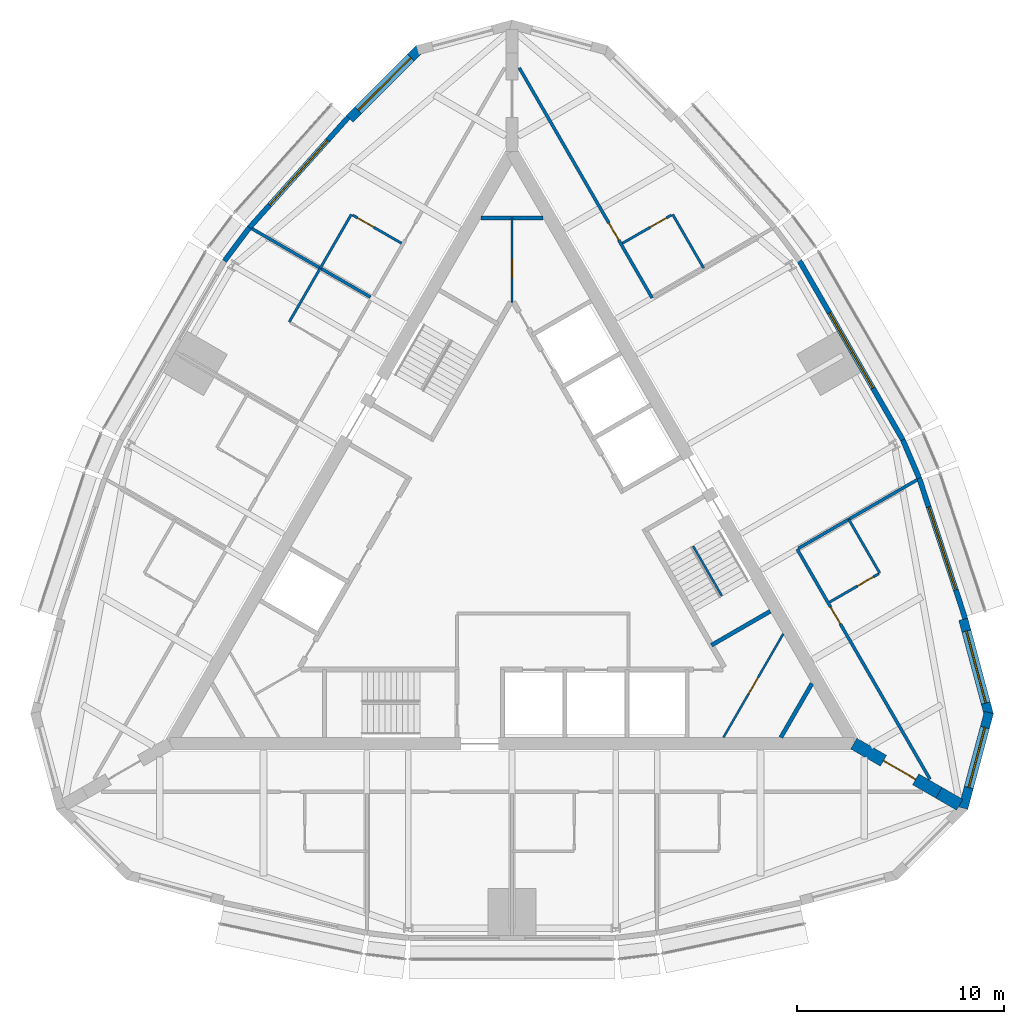
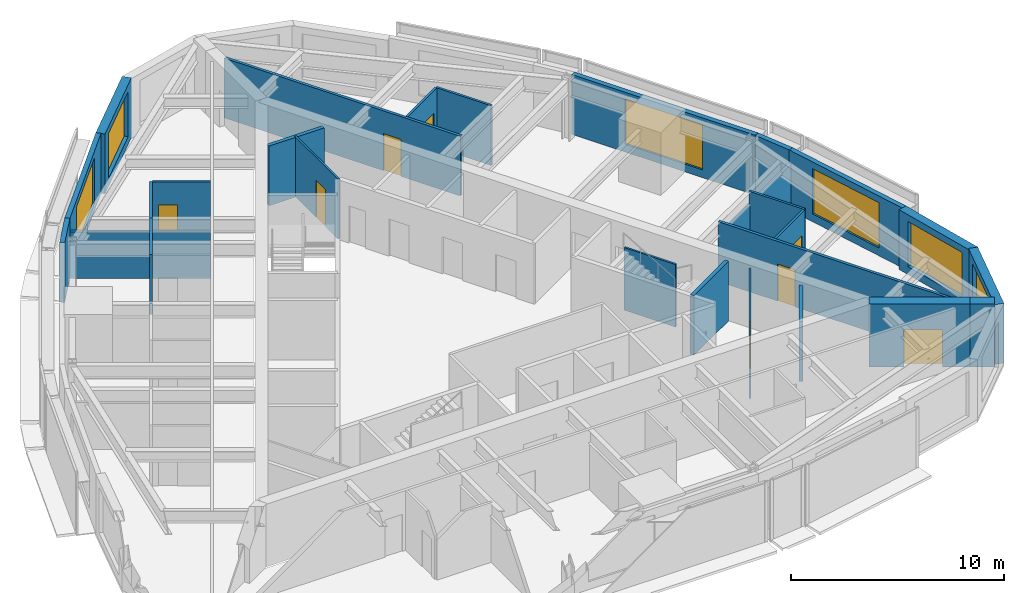
# One storey, part 10 of 12: 27 walls, 8 doors, 6 windows, 14 openings.
"""IFC4 building model written with IfcOpenShell, lengths in metres."""

import ifcopenshell
import ifcopenshell.guid

model = None  # the IFC model being written
_history = None  # IfcOwnerHistory: only IFC2X3 demands one
_inside = {}  # id of a spatial element -> (the spatial element, [elements in it])
_under = {}  # id of a project, library or spatial element -> (it, [spatial elements below it])
_declared = {}  # id of a project -> (the project, [libraries it declares])
_typed = {}  # id of a type object -> (the type object, [elements of that type])
_made_of = {}  # id of a material, layer set ... -> (it, [elements and type objects made of it])


def new_model(schema):
    """Start an empty IFC model of exactly this schema.

    Asked for "IFC4X3", IfcOpenShell would pick the latest addendum, in which some entities
    have other attributes; the version numbers below select the first issue.
    IFC2X3 requires an IfcOwnerHistory on every rooted entity: one is made here for all.
    """
    global model, _history
    if schema == "IFC4X3":
        model = ifcopenshell.file(schema_version=(4, 3, 0, 0))
    else:
        model = ifcopenshell.file(schema=schema)
    _inside.clear()
    _under.clear()
    _declared.clear()
    _typed.clear()
    _made_of.clear()
    _history = None
    if model.schema == "IFC2X3":
        org = make("IfcOrganization", Name="unknown")
        user = make(
            "IfcPersonAndOrganization",
            ThePerson=make("IfcPerson", FamilyName="unknown"),
            TheOrganization=org,
        )
        app = make(
            "IfcApplication",
            ApplicationDeveloper=org,
            Version="unknown",
            ApplicationFullName="unknown",
            ApplicationIdentifier="unknown",
        )
        _history = make(
            "IfcOwnerHistory",
            OwningUser=user,
            OwningApplication=app,
            ChangeAction="ADDED",
            CreationDate=0,
        )
    return model


def make(cls, **values):
    """One entity of the class cls with the attributes given. An attribute that is None is left unset."""
    return model.create_entity(
        cls, **{name: value for name, value in values.items() if value is not None}
    )


def rooted(cls, **values):
    """An entity with a GlobalId (a new one), such as an element, a storey or a relation."""
    return make(cls, GlobalId=ifcopenshell.guid.new(), OwnerHistory=_history, **values)


def si_unit(unit_type, name, prefix=None):
    """IfcSIUnit, for example si_unit("LENGTHUNIT", "METRE", prefix="MILLI")."""
    return make("IfcSIUnit", UnitType=unit_type, Prefix=prefix, Name=name)


def assignment(units):
    """IfcUnitAssignment: the units of a project."""
    return None if units is None else make("IfcUnitAssignment", Units=units)


def point(xyz):
    """IfcCartesianPoint."""
    return None if xyz is None else make("IfcCartesianPoint", Coordinates=xyz)


def direction(xyz):
    """IfcDirection."""
    return None if xyz is None else make("IfcDirection", DirectionRatios=xyz)


def frame(location, z_axis=None, x_axis=None):
    """IfcAxis2Placement3D, a coordinate frame: its origin and axes. An axis left out is left unset."""
    return make(
        "IfcAxis2Placement3D",
        Location=point(location),
        Axis=direction(z_axis),
        RefDirection=direction(x_axis),
    )


def frame_2d(location, x_axis=None):
    """IfcAxis2Placement2D, a coordinate frame in the plane: its origin and x axis."""
    return make(
        "IfcAxis2Placement2D", Location=point(location), RefDirection=direction(x_axis)
    )


def origin():
    """The frame at (0, 0, 0) with its axes left unset."""
    return frame((0.0, 0.0, 0.0))


def place(relative_to, where):
    """IfcLocalPlacement: puts the frame where relative to a parent placement (None: the world)."""
    return make(
        "IfcLocalPlacement", PlacementRelTo=relative_to, RelativePlacement=where
    )


def context(
    kind, dimensions, precision=None, world=None, true_north=None, identifier=None
):
    """IfcGeometricRepresentationContext, for example the 3D "Model" context."""
    return make(
        "IfcGeometricRepresentationContext",
        ContextIdentifier=identifier,
        ContextType=kind,
        CoordinateSpaceDimension=dimensions,
        Precision=precision,
        WorldCoordinateSystem=world,
        TrueNorth=true_north,
    )


def subcontext(parent, identifier, kind, view, scale=None):
    """IfcGeometricRepresentationSubContext, for example "Body" below "Model"."""
    return make(
        "IfcGeometricRepresentationSubContext",
        ContextIdentifier=identifier,
        ContextType=kind,
        ParentContext=parent,
        TargetScale=scale,
        TargetView=view,
    )


def project(units=None, contexts=None):
    """IfcProject with its units and contexts."""
    return rooted(
        "IfcProject",
        Name="project",
        RepresentationContexts=contexts,
        UnitsInContext=assignment(units),
    )


def spatial(cls, under=None, at=None, **own):
    """A site, building, storey or space (cls), placed at a placement, below another one or the project."""
    s = rooted(cls, ObjectPlacement=at, **own)
    if under is not None:
        _under.setdefault(under.id(), (under, []))[1].append(s)
    return s


def polyline(points):
    """IfcPolyline through the points."""
    return make("IfcPolyline", Points=[point(p) for p in points])


def profile(cls, at=None, kind="AREA", **sizes):
    """A parametric profile (cls). Its sizes go by their IFC names, for example OverallWidth=200.0."""
    return make(cls, ProfileType=kind, Position=at, **sizes)


def rectangle(**sizes):
    """IfcRectangleProfileDef."""
    return profile("IfcRectangleProfileDef", **sizes)


def outline(outer, holes=None, kind="AREA"):
    """IfcArbitraryClosedProfileDef: a profile drawn as a closed curve; with holes, ...WithVoids."""
    if holes is None:
        return make("IfcArbitraryClosedProfileDef", ProfileType=kind, OuterCurve=outer)
    return make(
        "IfcArbitraryProfileDefWithVoids",
        ProfileType=kind,
        OuterCurve=outer,
        InnerCurves=holes,
    )


def extrude(swept, where, along, depth):
    """IfcExtrudedAreaSolid: the profile swept, set in the frame where, extruded along a direction by depth."""
    return make(
        "IfcExtrudedAreaSolid",
        SweptArea=swept,
        Position=where,
        ExtrudedDirection=direction(along),
        Depth=depth,
    )


def shape(context_of_items, identifier, shape_type, items):
    """IfcShapeRepresentation: the items that make up one representation, for example the "Body"."""
    return make(
        "IfcShapeRepresentation",
        ContextOfItems=context_of_items,
        RepresentationIdentifier=identifier,
        RepresentationType=shape_type,
        Items=items,
    )


def material(Name=None, Category=None):
    """IfcMaterial."""
    return make("IfcMaterial", Name=Name, Category=Category)


def layer(
    of_material, thickness, ventilated=None, Name=None, Category=None, Priority=None
):
    """IfcMaterialLayer: one layer of a wall or slab, of a material (None: an air gap)."""
    return make(
        "IfcMaterialLayer",
        Material=of_material,
        LayerThickness=thickness,
        IsVentilated=ventilated,
        Name=Name,
        Category=Category,
        Priority=Priority,
    )


def layer_set(layers, Name=None):
    """IfcMaterialLayerSet."""
    return make("IfcMaterialLayerSet", MaterialLayers=layers, LayerSetName=Name)


def made_of(thing, what):
    """Note that an element or type object is made of a material, layer set ...; save() writes the relation."""
    if what is not None:
        _made_of.setdefault(what.id(), (what, []))[1].append(thing)
    return thing


def type_object(cls, material=None, **own):
    """A type object (cls), such as IfcWallType, which elements share."""
    return made_of(rooted(cls, **own), material)


def element(
    cls,
    number,
    at=None,
    inside=None,
    cuts=None,
    type_object=None,
    material=None,
    context=None,
    identifier="Body",
    shape_type=None,
    held_by="IfcProductDefinitionShape",
    body=None,
    shapes=None,
    **own,
):
    """One element of the class cls, such as IfcWall. Its Tag is "e" and its number.

    at: its placement. inside: the storey or other place that contains it. cuts: it is an
    opening in that element (IfcRelVoidsElement). A single representation is given by context,
    identifier, shape_type and body (its items); several are given by shapes. held_by: the class
    of the entity that holds the representations. save() writes the other relations.
    """
    e = rooted(cls, Tag="e%d" % number, ObjectPlacement=at, **own)
    if body is not None:
        shapes = [shape(context, identifier, shape_type, body)]
    if shapes is not None:
        e.Representation = make(held_by, Representations=shapes)
    if inside is not None:
        _inside.setdefault(inside.id(), (inside, []))[1].append(e)
    if cuts is not None:
        rooted(
            "IfcRelVoidsElement", RelatingBuildingElement=cuts, RelatedOpeningElement=e
        )
    if type_object is not None:
        _typed.setdefault(type_object.id(), (type_object, []))[1].append(e)
    return made_of(e, material)


def fill(opening, filler):
    """IfcRelFillsElement: the door or window that sits in an opening."""
    return rooted(
        "IfcRelFillsElement",
        RelatingOpeningElement=opening,
        RelatedBuildingElement=filler,
    )


def aggregate(whole, parts):
    """IfcRelAggregates: a whole, such as a stair, and the parts it consists of."""
    return rooted("IfcRelAggregates", RelatingObject=whole, RelatedObjects=parts)


def save(model, path):
    """Write the relations noted so far, then the file.

    IfcRelAggregates (storeys below a building ...), IfcRelContainedInSpatialStructure (elements
    in a storey), IfcRelDefinesByType, IfcRelAssociatesMaterial and IfcRelDeclares: one each for
    every whole, place, type object, material and project.
    """
    for whole, parts in _under.values():
        aggregate(whole, parts)
    for where, things in _inside.values():
        rooted(
            "IfcRelContainedInSpatialStructure",
            RelatedElements=things,
            RelatingStructure=where,
        )
    for kind, things in _typed.values():
        rooted("IfcRelDefinesByType", RelatedObjects=things, RelatingType=kind)
    for what, things in _made_of.values():
        rooted("IfcRelAssociatesMaterial", RelatedObjects=things, RelatingMaterial=what)
    for by, libraries in _declared.values():
        rooted("IfcRelDeclares", RelatingContext=by, RelatedDefinitions=libraries)
    model.write(path)


model = new_model("IFC4")

# Units and contexts
model_context = context("Model", 3, precision=1e-05, world=origin(), true_north=direction((0.0, 1.0)))
body_context = subcontext(model_context, "Body", "Model", "MODEL_VIEW")
ifc_project = project(units=[si_unit("LENGTHUNIT", "METRE"), si_unit("AREAUNIT", "SQUARE_METRE"), si_unit("VOLUMEUNIT", "CUBIC_METRE"), si_unit("PLANEANGLEUNIT", "RADIAN"), si_unit("MASSUNIT", "GRAM", prefix="KILO")], contexts=[model_context])

# Site, building, storey
site_placement = place(None, origin())
site = spatial("IfcSite", under=ifc_project, at=site_placement, CompositionType="ELEMENT")
building_placement = place(site_placement, origin())
building = spatial("IfcBuilding", under=site, at=building_placement, Name="Trikona Tower", CompositionType="ELEMENT")
storey_placement = place(building_placement, frame((0.0, 0.0, 246.5)))
storey = spatial("IfcBuildingStorey", under=building, at=storey_placement, Name="L65", CompositionType="ELEMENT", Elevation=246.5)

# Wall
ifc_material_1 = material(Name="Metal stud and cement board", Category="gypsum")
ifc_layer_1 = layer(ifc_material_1, 0.1201171875)
ifc_layer_set_1 = layer_set([ifc_layer_1], Name="Bathroom wall 120")
wall_type_1 = type_object("IfcWallType", Name="Bathroom wall 120", PredefinedType="PLUMBINGWALL", material=ifc_layer_set_1)
wall_1_placement = place(storey_placement, frame((17.75341796875, -1.297119140625, 0.0), z_axis=(0.0, 0.0, 1.0), x_axis=(-0.499990139034, 0.866031096941, 0.0)))
element("IfcWall", 1, at=wall_1_placement, inside=storey, type_object=wall_type_1, Name="Bathroom wall 6504", PredefinedType="PLUMBINGWALL", context=body_context, shape_type="SweptSolid", body=[
    extrude(rectangle(XDim=3.0, YDim=0.1201171875, at=frame_2d((1.5, 0.0))), origin(), (0.0, 0.0, 1.0), 3.43505859375),
])

# Wall, opening, door
wall_2_placement = place(storey_placement, frame((15.32861328125, -2.697021484375, 0.0), z_axis=(0.0, 0.0, 1.0), x_axis=(0.866035715982, 0.499982138324, 0.0)))
wall_2 = element("IfcWall", 2, at=wall_2_placement, inside=storey, type_object=wall_type_1, Name="Bathroom wall 6504", PredefinedType="PLUMBINGWALL", context=body_context, shape_type="SweptSolid", body=[
    extrude(rectangle(XDim=2.73974609375, YDim=0.1201171875, at=frame_2d((1.369873046875, 0.0))), origin(), (0.0, 0.0, 1.0), 3.43505859375),
])
opening_1_placement = place(wall_2_placement, frame((1.550048828125, 0.0, 0.0)))
opening_1 = element("IfcOpeningElement", 3, at=opening_1_placement, cuts=wall_2, Name="Opening D2", PredefinedType="OPENING", context=body_context, shape_type="SweptSolid", body=[
    extrude(rectangle(XDim=0.89990234375, YDim=2.1298828125, at=frame_2d((0.449951171875, 1.06494140625))), frame((0.0, 0.070068359375, 0.0), z_axis=(0.0, -1.0, 0.0), x_axis=(1.0, 0.0, 0.0)), (0.0, 0.0, 1.0), 0.14013671875),
])
ifc_material_2 = material(Name="Steel door frame with solid-core timber leaf", Category="steel")
door_type_1 = type_object("IfcDoorType", Name="Bathroom door 900x2130", OperationType="SLIDING_TO_LEFT", PredefinedType="DOOR", material=ifc_material_2)
door_1_placement = place(opening_1_placement, origin())
door_1 = element("IfcDoor", 4, at=door_1_placement, inside=storey, type_object=door_type_1, Name="Bathroom door 6504", OperationType="SLIDING_TO_LEFT", OverallHeight=2.1298828125, OverallWidth=0.89990234375, PredefinedType="DOOR", context=body_context, shape_type="SweptSolid", body=[
    extrude(rectangle(XDim=0.89990234375, YDim=2.1298828125, at=frame_2d((0.449951171875, 1.06494140625))), frame((0.0, 0.02490234375, 0.0), z_axis=(0.0, -1.0, 0.0), x_axis=(1.0, 0.0, 0.0)), (0.0, 0.0, 1.0), 0.050048828125),
])
fill(opening_1, door_1)

# Wall
wall_3_placement = place(storey_placement, frame((9.25341796875, 13.42529296875, 0.0), z_axis=(0.0, 0.0, 1.0), x_axis=(-0.499990139034, 0.866031096941, 0.0)))
element("IfcWall", 5, at=wall_3_placement, inside=storey, type_object=wall_type_1, Name="Bathroom wall 6505", PredefinedType="PLUMBINGWALL", context=body_context, shape_type="SweptSolid", body=[
    extrude(rectangle(XDim=3.0, YDim=0.1201171875, at=frame_2d((1.5, 0.0))), origin(), (0.0, 0.0, 1.0), 3.43505859375),
])

# Wall, opening, door
wall_4_placement = place(storey_placement, frame((5.32861328125, 14.623291015625, 0.0), z_axis=(0.0, 0.0, 1.0), x_axis=(0.865997131366, 0.500048966069, 0.0)))
wall_4 = element("IfcWall", 6, at=wall_4_placement, inside=storey, type_object=wall_type_1, Name="Bathroom wall 6505", PredefinedType="PLUMBINGWALL", context=body_context, shape_type="SweptSolid", body=[
    extrude(rectangle(XDim=2.739990234375, YDim=0.1201171875, at=frame_2d((1.3701171875, 0.0))), origin(), (0.0, 0.0, 1.0), 3.43505859375),
])
opening_2_placement = place(wall_4_placement, frame((1.550048828125, 0.0, 0.0)))
opening_2 = element("IfcOpeningElement", 7, at=opening_2_placement, cuts=wall_4, Name="Opening D2", PredefinedType="OPENING", context=body_context, shape_type="SweptSolid", body=[
    extrude(rectangle(XDim=0.89990234375, YDim=2.1298828125, at=frame_2d((0.449951171875, 1.06494140625))), frame((0.0, 0.070068359375, 0.0), z_axis=(0.0, -1.0, 0.0), x_axis=(1.0, 0.0, 0.0)), (0.0, 0.0, 1.0), 0.14013671875),
])
door_2_placement = place(opening_2_placement, origin())
door_2 = element("IfcDoor", 8, at=door_2_placement, inside=storey, type_object=door_type_1, Name="Bathroom door 6505", OperationType="SLIDING_TO_LEFT", OverallHeight=2.1298828125, OverallWidth=0.89990234375, PredefinedType="DOOR", context=body_context, shape_type="SweptSolid", body=[
    extrude(rectangle(XDim=0.89990234375, YDim=2.1298828125, at=frame_2d((0.449951171875, 1.06494140625))), frame((0.0, 0.02490234375, 0.0), z_axis=(0.0, -1.0, 0.0), x_axis=(1.0, 0.0, 0.0)), (0.0, 0.0, 1.0), 0.050048828125),
])
fill(opening_2, door_2)

# Wall
wall_5_placement = place(storey_placement, frame((-7.75341796875, 16.0234375, 0.0), z_axis=(0.0, 0.0, 1.0), x_axis=(-0.499990139034, -0.866031096941, 0.0)))
element("IfcWall", 9, at=wall_5_placement, inside=storey, type_object=wall_type_1, Name="Bathroom wall 6506", PredefinedType="PLUMBINGWALL", context=body_context, shape_type="SweptSolid", body=[
    extrude(rectangle(XDim=3.0, YDim=0.1201171875, at=frame_2d((1.5, 0.0))), origin(), (0.0, 0.0, 1.0), 3.43505859375),
])

# Wall, opening, door
wall_6_placement = place(storey_placement, frame((-5.32861328125, 14.623291015625, 0.0), z_axis=(0.0, 0.0, 1.0), x_axis=(-0.865997131366, 0.500048966069, 0.0)))
wall_6 = element("IfcWall", 10, at=wall_6_placement, inside=storey, type_object=wall_type_1, Name="Bathroom wall 6506", PredefinedType="PLUMBINGWALL", context=body_context, shape_type="SweptSolid", body=[
    extrude(rectangle(XDim=2.739990234375, YDim=0.1201171875, at=frame_2d((1.3701171875, 0.0))), origin(), (0.0, 0.0, 1.0), 3.43505859375),
])
opening_3_placement = place(wall_6_placement, frame((1.550048828125, 0.0, 0.0)))
opening_3 = element("IfcOpeningElement", 11, at=opening_3_placement, cuts=wall_6, Name="Opening D2", PredefinedType="OPENING", context=body_context, shape_type="SweptSolid", body=[
    extrude(rectangle(XDim=0.89990234375, YDim=2.1298828125, at=frame_2d((0.449951171875, 1.06494140625))), frame((0.0, 0.070068359375, 0.0), z_axis=(0.0, -1.0, 0.0), x_axis=(1.0, 0.0, 0.0)), (0.0, 0.0, 1.0), 0.14013671875),
])
door_3_placement = place(opening_3_placement, origin())
door_3 = element("IfcDoor", 12, at=door_3_placement, inside=storey, type_object=door_type_1, Name="Bathroom door 6506", OperationType="SLIDING_TO_LEFT", OverallHeight=2.1298828125, OverallWidth=0.89990234375, PredefinedType="DOOR", context=body_context, shape_type="SweptSolid", body=[
    extrude(rectangle(XDim=0.89990234375, YDim=2.1298828125, at=frame_2d((0.449951171875, 1.06494140625))), frame((0.0, 0.02490234375, 0.0), z_axis=(0.0, -1.0, 0.0), x_axis=(1.0, 0.0, 0.0)), (0.0, 0.0, 1.0), 0.050048828125),
])
fill(opening_3, door_3)

# Wall
wall_7_placement = place(storey_placement, frame((-9.25341796875, 13.42529296875, 0.0), z_axis=(0.0, 0.0, 1.0), x_axis=(-0.499990139034, -0.866031096941, 0.0)))
element("IfcWall", 13, at=wall_7_placement, inside=storey, type_object=wall_type_1, Name="Bathroom wall 6507", PredefinedType="PLUMBINGWALL", context=body_context, shape_type="SweptSolid", body=[
    extrude(rectangle(XDim=3.0, YDim=0.1201171875, at=frame_2d((1.5, 0.0))), origin(), (0.0, 0.0, 1.0), 3.43505859375),
])

# Wall, opening, window
ifc_material_3 = material(Name="Brick-faced precast concrete", Category="masonry")
ifc_layer_2 = layer(ifc_material_3, 0.449951171875)
ifc_layer_set_2 = layer_set([ifc_layer_2], Name="Brick-faced corner wall 450")
wall_type_2 = type_object("IfcWallType", Name="Brick-faced corner wall 450", PredefinedType="SOLIDWALL", material=ifc_layer_set_2)
wall_8_placement = place(storey_placement, frame((21.78271484375, -12.6435546875, 0.0), z_axis=(0.0, 0.0, 1.0), x_axis=(0.25880328844, 0.965930048136, 0.0)))
wall_8 = element("IfcWall", 14, at=wall_8_placement, inside=storey, type_object=wall_type_2, Name="External wall L65-07", PredefinedType="SOLIDWALL", context=body_context, shape_type="SweptSolid", body=[
    extrude(outline(polyline([(4.78173828125, 0.22509765625), (0.43115234375, 0.22509765625), (0.40625, 0.132080078125), (0.0595703125, 0.22509765625), (0.0, 0.22509765625), (0.0, -0.22509765625), (4.78173828125, -0.22509765625), (4.78173828125, 0.22509765625)])), origin(), (0.0, 0.0, 1.0), 3.43505859375),
])
opening_4_placement = place(wall_8_placement, frame((1.031494140625, 0.0, 0.449951171875)))
opening_4 = element("IfcOpeningElement", 15, at=opening_4_placement, cuts=wall_8, Name="Opening W3026", PredefinedType="OPENING", context=body_context, shape_type="SweptSolid", body=[
    extrude(rectangle(XDim=3.0, YDim=2.60009765625, at=frame_2d((1.5, 1.300048828125))), frame((0.0, 0.23486328125, 0.0), z_axis=(0.0, -1.0, 0.0), x_axis=(1.0, 0.0, 0.0)), (0.0, 0.0, 1.0), 0.469970703125),
])
ifc_material_4 = material(Name="Aluminium-framed double glazing", Category="aluminium")
window_type_1 = type_object("IfcWindowType", Name="Window 3000x2600", PartitioningType="SINGLE_PANEL", PredefinedType="WINDOW", material=ifc_material_4)
window_1_placement = place(opening_4_placement, origin())
window_1 = element("IfcWindow", 16, at=window_1_placement, inside=storey, type_object=window_type_1, Name="Window 6504", OverallHeight=2.60009765625, OverallWidth=3.0, PartitioningType="SINGLE_PANEL", PredefinedType="WINDOW", context=body_context, shape_type="SweptSolid", body=[
    extrude(rectangle(XDim=3.0, YDim=2.60009765625, at=frame_2d((1.5, 1.300048828125))), frame((0.0, 0.030029296875, 0.0), z_axis=(0.0, -1.0, 0.0), x_axis=(1.0, 0.0, 0.0)), (0.0, 0.0, 1.0), 0.06005859375),
])
fill(opening_4, window_1)

wall_9_placement = place(storey_placement, frame((23.020263671875, -8.14111328125, 0.0), z_axis=(0.0, 0.0, 1.0), x_axis=(-0.25880328844, 0.965930048136, 0.0)))
wall_9 = element("IfcWall", 17, at=wall_9_placement, inside=storey, type_object=wall_type_2, Name="External wall L65-08", PredefinedType="SOLIDWALL", context=body_context, shape_type="SweptSolid", body=[
    extrude(rectangle(XDim=4.78173828125, YDim=0.449951171875, at=frame_2d((2.390869140625, 0.0))), origin(), (0.0, 0.0, 1.0), 3.43505859375),
])
opening_5_placement = place(wall_9_placement, frame((0.5908203125, 0.0, 0.449951171875)))
opening_5 = element("IfcOpeningElement", 18, at=opening_5_placement, cuts=wall_9, Name="Opening W3626", PredefinedType="OPENING", context=body_context, shape_type="SweptSolid", body=[
    extrude(rectangle(XDim=3.60009765625, YDim=2.60009765625, at=frame_2d((1.800048828125, 1.300048828125))), frame((0.0, 0.23486328125, 0.0), z_axis=(0.0, -1.0, 0.0), x_axis=(1.0, 0.0, 0.0)), (0.0, 0.0, 1.0), 0.469970703125),
])
ifc_material_5 = material(Name="Aluminium-framed double glazing", Category="aluminium")
window_type_2 = type_object("IfcWindowType", Name="Window 3600x2600", PartitioningType="SINGLE_PANEL", PredefinedType="WINDOW", material=ifc_material_5)
window_2_placement = place(opening_5_placement, origin())
window_2 = element("IfcWindow", 19, at=window_2_placement, inside=storey, type_object=window_type_2, Name="Window 6504", OverallHeight=2.60009765625, OverallWidth=3.60009765625, PartitioningType="SINGLE_PANEL", PredefinedType="WINDOW", context=body_context, shape_type="SweptSolid", body=[
    extrude(rectangle(XDim=3.60009765625, YDim=2.60009765625, at=frame_2d((1.800048828125, 1.300048828125))), frame((0.0, 0.030029296875, 0.0), z_axis=(0.0, -1.0, 0.0), x_axis=(1.0, 0.0, 0.0)), (0.0, 0.0, 1.0), 0.06005859375),
])
fill(opening_5, window_2)

wall_10_placement = place(storey_placement, frame((-4.459716796875, 24.006591796875, 0.0), z_axis=(0.0, 0.0, 1.0), x_axis=(-0.707106781187, -0.707106781187, 0.0)))
wall_10 = element("IfcWall", 20, at=wall_10_placement, inside=storey, type_object=wall_type_2, Name="External wall L65-17", PredefinedType="SOLIDWALL", context=body_context, shape_type="SweptSolid", body=[
    extrude(rectangle(XDim=4.781494140625, YDim=0.449951171875, at=frame_2d((2.390625, 0.0))), origin(), (0.0, 0.0, 1.0), 3.43505859375),
])
opening_6_placement = place(wall_10_placement, frame((0.5908203125, 0.0, 0.449951171875)))
opening_6 = element("IfcOpeningElement", 21, at=opening_6_placement, cuts=wall_10, Name="Opening W3626", PredefinedType="OPENING", context=body_context, shape_type="SweptSolid", body=[
    extrude(rectangle(XDim=3.60009765625, YDim=2.60009765625, at=frame_2d((1.800048828125, 1.300048828125))), frame((0.0, 0.23486328125, 0.0), z_axis=(0.0, -1.0, 0.0), x_axis=(1.0, 0.0, 0.0)), (0.0, 0.0, 1.0), 0.469970703125),
])
window_3_placement = place(opening_6_placement, origin())
window_3 = element("IfcWindow", 22, at=window_3_placement, inside=storey, type_object=window_type_2, Name="Window 6506", OverallHeight=2.60009765625, OverallWidth=3.60009765625, PartitioningType="SINGLE_PANEL", PredefinedType="WINDOW", context=body_context, shape_type="SweptSolid", body=[
    extrude(rectangle(XDim=3.60009765625, YDim=2.60009765625, at=frame_2d((1.800048828125, 1.300048828125))), frame((0.0, 0.030029296875, 0.0), z_axis=(0.0, -1.0, 0.0), x_axis=(1.0, 0.0, 0.0)), (0.0, 0.0, 1.0), 0.06005859375),
])
fill(opening_6, window_3)

# Wall, opening, door
ifc_material_6 = material(Name="Concrete f'c 10000 psi", Category="concrete")
ifc_layer_3 = layer(ifc_material_6, 0.60009765625)
ifc_layer_set_3 = layer_set([ifc_layer_3], Name="Buttress wall 600")
wall_type_3 = type_object("IfcWallType", Name="Buttress wall 600", PredefinedType="SHEAR", material=ifc_layer_set_3)
wall_11_placement = place(storey_placement, frame((16.5, -9.5263671875, 0.0), z_axis=(0.0, 0.0, 1.0), x_axis=(0.866031398331, -0.499989616998, 0.0)))
wall_11 = element("IfcWall", 23, at=wall_11_placement, inside=storey, type_object=wall_type_3, Name="Buttress wall 1", PredefinedType="SHEAR", context=body_context, shape_type="SweptSolid", body=[
    extrude(rectangle(XDim=4.74609375, YDim=0.60009765625, at=frame_2d((2.373046875, 0.0))), origin(), (0.0, 0.0, 1.0), 3.60009765625),
])
opening_7_placement = place(wall_11_placement, frame((1.64990234375, 0.0, 0.0)))
opening_7 = element("IfcOpeningElement", 24, at=opening_7_placement, cuts=wall_11, Name="Opening D10", PredefinedType="OPENING", context=body_context, shape_type="SweptSolid", body=[
    extrude(rectangle(XDim=1.800048828125, YDim=2.1298828125, at=frame_2d((0.89990234375, 1.06494140625))), frame((0.0, 0.31005859375, 0.0), z_axis=(0.0, -1.0, 0.0), x_axis=(1.0, 0.0, 0.0)), (0.0, 0.0, 1.0), 0.6201171875),
])
ifc_material_7 = material(Name="Hollow metal door and frame", Category="steel")
door_type_2 = type_object("IfcDoorType", Name="Cross-corridor door pair 1800x2130", OperationType="DOUBLE_DOOR_DOUBLE_SWING", PredefinedType="DOOR", material=ifc_material_7)
door_4_placement = place(opening_7_placement, origin())
door_4 = element("IfcDoor", 25, at=door_4_placement, inside=storey, type_object=door_type_2, Name="Cross-corridor door 1", OperationType="DOUBLE_DOOR_DOUBLE_SWING", OverallHeight=2.1298828125, OverallWidth=1.800048828125, PredefinedType="DOOR", context=body_context, shape_type="SweptSolid", body=[
    extrude(rectangle(XDim=1.800048828125, YDim=2.1298828125, at=frame_2d((0.89990234375, 1.06494140625))), frame((0.0, 0.02490234375, 0.0), z_axis=(0.0, -1.0, 0.0), x_axis=(1.0, 0.0, 0.0)), (0.0, 0.0, 1.0), 0.050048828125),
])
fill(opening_7, door_4)

# Wall
wall_12_placement = place(storey_placement, frame((20.6103515625, -11.8994140625, 0.0), z_axis=(0.0, 0.0, 1.0), x_axis=(0.866009537788, -0.500027479704, 0.0)))
element("IfcWall", 26, at=wall_12_placement, inside=storey, type_object=wall_type_3, Name="Buttress wall 1 part 2", PredefinedType="SHEAR", context=body_context, shape_type="SweptSolid", body=[
    extrude(rectangle(XDim=1.15478515625, YDim=0.60009765625, at=frame_2d((0.577392578125, 0.0))), origin(), (0.0, 0.0, 1.0), 3.60009765625),
])

# Wall, opening, door
ifc_material_8 = material(Name="Metal stud and gypsum board, 1-hour", Category="gypsum")
ifc_layer_4 = layer(ifc_material_8, 0.14990234375)
ifc_layer_set_4 = layer_set([ifc_layer_4], Name="Corridor wall 150")
wall_type_4 = type_object("IfcWallType", Name="Corridor wall 150", PredefinedType="PARTITIONING", material=ifc_layer_set_4)
wall_13_placement = place(storey_placement, frame((20.177001953125, -11.2451171875, 0.0), z_axis=(0.0, 0.0, 1.0), x_axis=(-0.49999979161, 0.866025524098, 0.0)))
wall_13 = element("IfcWall", 27, at=wall_13_placement, inside=storey, type_object=wall_type_4, Name="Corridor wall L65-2A", PredefinedType="PARTITIONING", context=body_context, shape_type="SweptSolid", body=[
    extrude(rectangle(XDim=12.8271484375, YDim=0.14990234375, at=frame_2d((6.41357421875, 0.0))), origin(), (0.0, 0.0, 1.0), 3.43505859375),
])
opening_8_placement = place(wall_13_placement, frame((8.652099609375, 0.0, 0.0)))
opening_8 = element("IfcOpeningElement", 28, at=opening_8_placement, cuts=wall_13, Name="Opening D1", PredefinedType="OPENING", context=body_context, shape_type="SweptSolid", body=[
    extrude(rectangle(XDim=0.949951171875, YDim=2.1298828125, at=frame_2d((0.47509765625, 1.06494140625))), frame((0.0, 0.0849609375, 0.0), z_axis=(0.0, -1.0, 0.0), x_axis=(1.0, 0.0, 0.0)), (0.0, 0.0, 1.0), 0.169921875),
])
ifc_material_9 = material(Name="Steel door frame with solid-core timber leaf", Category="steel")
door_type_3 = type_object("IfcDoorType", Name="Guest room door 950x2130", OperationType="SINGLE_SWING_LEFT", PredefinedType="DOOR", material=ifc_material_9)
door_5_placement = place(opening_8_placement, origin())
door_5 = element("IfcDoor", 29, at=door_5_placement, inside=storey, type_object=door_type_3, Name="Room door 6504", OperationType="SINGLE_SWING_LEFT", OverallHeight=2.1298828125, OverallWidth=0.949951171875, PredefinedType="DOOR", context=body_context, shape_type="SweptSolid", body=[
    extrude(rectangle(XDim=0.949951171875, YDim=2.1298828125, at=frame_2d((0.47509765625, 1.06494140625))), frame((0.0, 0.02490234375, 0.0), z_axis=(0.0, -1.0, 0.0), x_axis=(1.0, 0.0, 0.0)), (0.0, 0.0, 1.0), 0.050048828125),
])
fill(opening_8, door_5)

wall_14_placement = place(storey_placement, frame((6.763427734375, 11.98779296875, 0.0), z_axis=(0.0, 0.0, 1.0), x_axis=(-0.499993758181, 0.86602900747, 0.0)))
wall_14 = element("IfcWall", 30, at=wall_14_placement, inside=storey, type_object=wall_type_4, Name="Corridor wall L65-2B", PredefinedType="PARTITIONING", context=body_context, shape_type="SweptSolid", body=[
    extrude(rectangle(XDim=12.826904296875, YDim=0.14990234375, at=frame_2d((6.41357421875, 0.0))), origin(), (0.0, 0.0, 1.0), 3.43505859375),
])
opening_9_placement = place(wall_14_placement, frame((3.22509765625, 0.0, 0.0)))
opening_9 = element("IfcOpeningElement", 31, at=opening_9_placement, cuts=wall_14, Name="Opening D1", PredefinedType="OPENING", context=body_context, shape_type="SweptSolid", body=[
    extrude(rectangle(XDim=0.949951171875, YDim=2.1298828125, at=frame_2d((0.47509765625, 1.06494140625))), frame((0.0, 0.0849609375, 0.0), z_axis=(0.0, -1.0, 0.0), x_axis=(1.0, 0.0, 0.0)), (0.0, 0.0, 1.0), 0.169921875),
])
door_6_placement = place(opening_9_placement, origin())
door_6 = element("IfcDoor", 32, at=door_6_placement, inside=storey, type_object=door_type_3, Name="Room door 6505", OperationType="SINGLE_SWING_LEFT", OverallHeight=2.1298828125, OverallWidth=0.949951171875, PredefinedType="DOOR", context=body_context, shape_type="SweptSolid", body=[
    extrude(rectangle(XDim=0.949951171875, YDim=2.1298828125, at=frame_2d((0.47509765625, 1.06494140625))), frame((0.0, 0.02490234375, 0.0), z_axis=(0.0, -1.0, 0.0), x_axis=(1.0, 0.0, 0.0)), (0.0, 0.0, 1.0), 0.050048828125),
])
fill(opening_9, door_6)

# Wall, opening, window
ifc_material_10 = material(Name="Insulated precast concrete spandrel panel", Category="concrete")
ifc_layer_5 = layer(ifc_material_10, 0.25)
ifc_layer_set_5 = layer_set([ifc_layer_5], Name="Inner skin wall 250")
wall_type_5 = type_object("IfcWallType", Name="Inner skin wall 250", PredefinedType="STANDARD", material=ifc_layer_set_5)
wall_15_placement = place(storey_placement, frame((21.881103515625, -3.5029296875, 0.0), z_axis=(0.0, 0.0, 1.0), x_axis=(-0.311328857048, 0.95030223759, 0.0)))
wall_15 = element("IfcWall", 33, at=wall_15_placement, inside=storey, type_object=wall_type_5, Name="External wall L65-09", PredefinedType="STANDARD", context=body_context, shape_type="SweptSolid", body=[
    extrude(rectangle(XDim=7.152587890625, YDim=0.25, at=frame_2d((3.576171875, 0.0))), origin(), (0.0, 0.0, 1.0), 3.43505859375),
])
opening_10_placement = place(wall_15_placement, frame((1.476318359375, 0.0, 0.449951171875)))
opening_10 = element("IfcOpeningElement", 34, at=opening_10_placement, cuts=wall_15, Name="Opening W4226", PredefinedType="OPENING", context=body_context, shape_type="SweptSolid", body=[
    extrude(rectangle(XDim=4.199951171875, YDim=2.60009765625, at=frame_2d((2.10009765625, 1.300048828125))), frame((0.0, 0.135009765625, 0.0), z_axis=(0.0, -1.0, 0.0), x_axis=(1.0, 0.0, 0.0)), (0.0, 0.0, 1.0), 0.27001953125),
])
ifc_material_11 = material(Name="Aluminium-framed double glazing", Category="aluminium")
window_type_3 = type_object("IfcWindowType", Name="Window 4200x2600", PartitioningType="SINGLE_PANEL", PredefinedType="WINDOW", material=ifc_material_11)
window_4_placement = place(opening_10_placement, origin())
window_4 = element("IfcWindow", 35, at=window_4_placement, inside=storey, type_object=window_type_3, Name="Window 6504", OverallHeight=2.60009765625, OverallWidth=4.199951171875, PartitioningType="SINGLE_PANEL", PredefinedType="WINDOW", context=body_context, shape_type="SweptSolid", body=[
    extrude(rectangle(XDim=4.199951171875, YDim=2.60009765625, at=frame_2d((2.10009765625, 1.300048828125))), frame((0.0, 0.030029296875, 0.0), z_axis=(0.0, -1.0, 0.0), x_axis=(1.0, 0.0, 0.0)), (0.0, 0.0, 1.0), 0.06005859375),
])
fill(opening_10, window_4)

# Wall
wall_16_placement = place(storey_placement, frame((19.658203125, 3.283935546875, 0.0), z_axis=(0.0, 0.0, 1.0), x_axis=(-0.393290226175, 0.91941437774, 0.0)))
element("IfcWall", 36, at=wall_16_placement, inside=storey, type_object=wall_type_5, Name="External wall L65-10", PredefinedType="STANDARD", context=body_context, shape_type="SweptSolid", body=[
    extrude(rectangle(XDim=2.014404296875, YDim=0.25, at=frame_2d((1.00732421875, 0.0))), origin(), (0.0, 0.0, 1.0), 3.43505859375),
])

# Wall, opening, window
wall_17_placement = place(storey_placement, frame((18.87255859375, 5.12255859375, 0.0), z_axis=(0.0, 0.0, 1.0), x_axis=(-0.499993662806, 0.866029062534, 0.0)))
wall_17 = element("IfcWall", 37, at=wall_17_placement, inside=storey, type_object=wall_type_5, Name="External wall L65-11", PredefinedType="STANDARD", context=body_context, shape_type="SweptSolid", body=[
    extrude(rectangle(XDim=10.000244140625, YDim=0.25, at=frame_2d((5.0, 0.0))), origin(), (0.0, 0.0, 1.0), 3.43505859375),
])
opening_11_placement = place(wall_17_placement, frame((2.89990234375, 0.0, 0.449951171875)))
opening_11 = element("IfcOpeningElement", 38, at=opening_11_placement, cuts=wall_17, Name="Opening W4226", PredefinedType="OPENING", context=body_context, shape_type="SweptSolid", body=[
    extrude(rectangle(XDim=4.199951171875, YDim=2.60009765625, at=frame_2d((2.10009765625, 1.300048828125))), frame((0.0, 0.135009765625, 0.0), z_axis=(0.0, -1.0, 0.0), x_axis=(1.0, 0.0, 0.0)), (0.0, 0.0, 1.0), 0.27001953125),
])
window_5_placement = place(opening_11_placement, origin())
window_5 = element("IfcWindow", 39, at=window_5_placement, inside=storey, type_object=window_type_3, Name="Window L65-LNG", OverallHeight=2.60009765625, OverallWidth=4.199951171875, PartitioningType="SINGLE_PANEL", PredefinedType="WINDOW", context=body_context, shape_type="SweptSolid", body=[
    extrude(rectangle(XDim=4.199951171875, YDim=2.60009765625, at=frame_2d((2.10009765625, 1.300048828125))), frame((0.0, 0.030029296875, 0.0), z_axis=(0.0, -1.0, 0.0), x_axis=(1.0, 0.0, 0.0)), (0.0, 0.0, 1.0), 0.06005859375),
])
fill(opening_11, window_5)

wall_18_placement = place(storey_placement, frame((-7.906982421875, 20.701171875, 0.0), z_axis=(0.0, 0.0, 1.0), x_axis=(-0.667303550892, -0.744785855778, 0.0)))
wall_18 = element("IfcWall", 40, at=wall_18_placement, inside=storey, type_object=wall_type_5, Name="External wall L65-18", PredefinedType="STANDARD", context=body_context, shape_type="SweptSolid", body=[
    extrude(rectangle(XDim=7.152587890625, YDim=0.25, at=frame_2d((3.576171875, 0.0))), origin(), (0.0, 0.0, 1.0), 3.43505859375),
])
opening_12_placement = place(wall_18_placement, frame((1.476318359375, 0.0, 0.449951171875)))
opening_12 = element("IfcOpeningElement", 41, at=opening_12_placement, cuts=wall_18, Name="Opening W4226", PredefinedType="OPENING", context=body_context, shape_type="SweptSolid", body=[
    extrude(rectangle(XDim=4.199951171875, YDim=2.60009765625, at=frame_2d((2.10009765625, 1.300048828125))), frame((0.0, 0.135009765625, 0.0), z_axis=(0.0, -1.0, 0.0), x_axis=(1.0, 0.0, 0.0)), (0.0, 0.0, 1.0), 0.27001953125),
])
window_6_placement = place(opening_12_placement, origin())
window_6 = element("IfcWindow", 42, at=window_6_placement, inside=storey, type_object=window_type_3, Name="Window 6506", OverallHeight=2.60009765625, OverallWidth=4.199951171875, PartitioningType="SINGLE_PANEL", PredefinedType="WINDOW", context=body_context, shape_type="SweptSolid", body=[
    extrude(rectangle(XDim=4.199951171875, YDim=2.60009765625, at=frame_2d((2.10009765625, 1.300048828125))), frame((0.0, 0.030029296875, 0.0), z_axis=(0.0, -1.0, 0.0), x_axis=(1.0, 0.0, 0.0)), (0.0, 0.0, 1.0), 0.06005859375),
])
fill(opening_12, window_6)

# Walls
wall_19_placement = place(storey_placement, frame((-12.673095703125, 15.38232421875, 0.0), z_axis=(0.0, 0.0, 1.0), x_axis=(-0.599650843534, -0.800261748335, 0.0)))
element("IfcWall", 43, at=wall_19_placement, inside=storey, type_object=wall_type_5, Name="External wall L65-19", PredefinedType="STANDARD", context=body_context, shape_type="SweptSolid", body=[
    extrude(rectangle(XDim=2.01416015625, YDim=0.25, at=frame_2d((1.007080078125, 0.0))), origin(), (0.0, 0.0, 1.0), 3.43505859375),
])
ifc_material_12 = material(Name="Metal stud and gypsum board, 1-hour acoustic", Category="gypsum")
ifc_layer_6 = layer(ifc_material_12, 0.14990234375)
ifc_layer_set_6 = layer_set([ifc_layer_6], Name="Party wall 150")
wall_type_6 = type_object("IfcWallType", Name="Party wall 150", PredefinedType="PARTITIONING", material=ifc_layer_set_6)
wall_20_placement = place(storey_placement, frame((13.82861328125, -0.09912109375, 0.0), z_axis=(0.0, 0.0, 1.0), x_axis=(0.866022562216, 0.500004921708, 0.0)))
element("IfcWall", 44, at=wall_20_placement, inside=storey, type_object=wall_type_6, Name="Partition L65 F2 u-7", PredefinedType="PARTITIONING", context=body_context, shape_type="SweptSolid", body=[
    extrude(rectangle(XDim=6.60888671875, YDim=0.14990234375, at=frame_2d((3.304443359375, 0.0))), origin(), (0.0, 0.0, 1.0), 2.677978515625),
])
wall_21_placement = place(storey_placement, frame((-6.82861328125, 12.025390625, 0.0), z_axis=(0.0, 0.0, 1.0), x_axis=(-0.866029323189, 0.499993211332, 0.0)))
element("IfcWall", 45, at=wall_21_placement, inside=storey, type_object=wall_type_6, Name="Partition L65 F3 u-7", PredefinedType="PARTITIONING", context=body_context, shape_type="SweptSolid", body=[
    extrude(rectangle(XDim=6.6083984375, YDim=0.14990234375, at=frame_2d((3.30419921875, 0.0))), origin(), (0.0, 0.0, 1.0), 2.677978515625),
])
ifc_material_13 = material(Name="Concrete f'c 8000 psi", Category="concrete")
ifc_layer_7 = layer(ifc_material_13, 0.199951171875)
ifc_layer_set_7 = layer_set([ifc_layer_7], Name="Shaft wall 200")
wall_type_7 = type_object("IfcWallType", Name="Shaft wall 200", PredefinedType="SOLIDWALL", material=ifc_layer_set_7)
wall_22_placement = place(storey_placement, frame((14.479248046875, -6.626220703125, 0.0), z_axis=(0.0, 0.0, 1.0), x_axis=(-0.499952404951, -0.866052881055, 0.0)))
element("IfcWall", 46, at=wall_22_placement, inside=storey, type_object=wall_type_7, Name="Riser wall L65-RS1", PredefinedType="SOLIDWALL", context=body_context, shape_type="SweptSolid", body=[
    extrude(rectangle(XDim=3.002197265625, YDim=0.199951171875, at=frame_2d((1.5009765625, 0.0))), origin(), (0.0, 0.0, 1.0), 3.43505859375),
])
wall_23_placement = place(storey_placement, frame((-1.501220703125, 15.8525390625, 0.0), z_axis=(0.0, 0.0, 1.0), x_axis=(1.0, 0.0, 0.0)))
element("IfcWall", 47, at=wall_23_placement, inside=storey, type_object=wall_type_7, Name="Riser wall L65-RS2", PredefinedType="SOLIDWALL", context=body_context, shape_type="SweptSolid", body=[
    extrude(rectangle(XDim=3.00244140625, YDim=0.199951171875, at=frame_2d((1.501220703125, 0.0))), origin(), (0.0, 0.0, 1.0), 3.43505859375),
])
ifc_material_14 = material(Name="Concrete f'c 8000 psi", Category="concrete")
ifc_layer_8 = layer(ifc_material_14, 0.199951171875)
ifc_layer_set_8 = layer_set([ifc_layer_8], Name="Shaft wall 200 load-bearing")
wall_type_8 = type_object("IfcWallType", Name="Shaft wall 200 load-bearing", PredefinedType="SOLIDWALL", material=ifc_layer_set_8)
wall_24_placement = place(storey_placement, frame((9.62890625, -4.775390625, 0.0), z_axis=(0.0, 0.0, 1.0), x_axis=(0.865995643347, 0.500051543047, 0.0)))
element("IfcWall", 48, at=wall_24_placement, inside=storey, type_object=wall_type_8, Name="Shaft wall B1", PredefinedType="SOLIDWALL", context=body_context, shape_type="SweptSolid", body=[
    extrude(rectangle(XDim=3.275146484375, YDim=0.199951171875, at=frame_2d((1.6376953125, 0.0))), origin(), (0.0, 0.0, 1.0), 3.43505859375),
])
ifc_material_15 = material(Name="Concrete f'c 5000 psi", Category="concrete")
ifc_layer_9 = layer(ifc_material_15, 0.10009765625)
ifc_layer_set_9 = layer_set([ifc_layer_9], Name="Stair spine wall 100")
wall_type_9 = type_object("IfcWallType", Name="Stair spine wall 100", PredefinedType="SOLIDWALL", material=ifc_layer_set_9)
wall_25_placement = place(storey_placement, frame((10.134765625, -2.4013671875, 0.0), z_axis=(0.0, 0.0, 1.0), x_axis=(-0.499992232847, 0.866029888106, 0.0)))
element("IfcWall", 49, at=wall_25_placement, inside=storey, type_object=wall_type_9, Name="Stair B spine wall L65", PredefinedType="SOLIDWALL", context=body_context, shape_type="SweptSolid", body=[
    extrude(rectangle(XDim=2.7939453125, YDim=0.10009765625, at=frame_2d((1.39697265625, 0.0))), origin(), (0.0, 0.0, 1.0), 3.60009765625),
])

# Wall, opening, door
ifc_material_16 = material(Name="Metal stud and gypsum board, acoustic", Category="gypsum")
ifc_layer_10 = layer(ifc_material_16, 0.10009765625)
ifc_layer_set_10 = layer_set([ifc_layer_10], Name="Suite partition 100")
wall_type_10 = type_object("IfcWallType", Name="Suite partition 100", PredefinedType="PARTITIONING", material=ifc_layer_set_10)
wall_26_placement = place(storey_placement, frame((13.09375, -4.226318359375, 0.0), z_axis=(0.0, 0.0, 1.0), x_axis=(-0.500027479704, -0.866009537788, 0.0)))
wall_26 = element("IfcWall", 50, at=wall_26_placement, inside=storey, type_object=wall_type_10, Name="Store partition L65-RS1", PredefinedType="PARTITIONING", context=body_context, shape_type="SweptSolid", body=[
    extrude(rectangle(XDim=5.773681640625, YDim=0.10009765625, at=frame_2d((2.88671875, 0.0))), origin(), (0.0, 0.0, 1.0), 3.43505859375),
])
opening_13_placement = place(wall_26_placement, frame((2.436767578125, 0.0, 0.0)))
opening_13 = element("IfcOpeningElement", 51, at=opening_13_placement, cuts=wall_26, Name="Opening D15", PredefinedType="OPENING", context=body_context, shape_type="SweptSolid", body=[
    extrude(rectangle(XDim=0.89990234375, YDim=2.1298828125, at=frame_2d((0.449951171875, 1.06494140625))), frame((0.0, 0.06005859375, 0.0), z_axis=(0.0, -1.0, 0.0), x_axis=(1.0, 0.0, 0.0)), (0.0, 0.0, 1.0), 0.1201171875),
])
ifc_material_17 = material(Name="Steel door frame with solid-core timber leaf", Category="steel")
door_type_4 = type_object("IfcDoorType", Name="Store door 900x2130", OperationType="SINGLE_SWING_LEFT", PredefinedType="DOOR", material=ifc_material_17)
door_7_placement = place(opening_13_placement, origin())
door_7 = element("IfcDoor", 52, at=door_7_placement, inside=storey, type_object=door_type_4, Name="Door Cleaner's store CLN", OperationType="SINGLE_SWING_RIGHT", OverallHeight=2.1298828125, OverallWidth=0.89990234375, PredefinedType="DOOR", context=body_context, shape_type="SweptSolid", body=[
    extrude(rectangle(XDim=0.89990234375, YDim=2.1298828125, at=frame_2d((0.449951171875, 1.06494140625))), frame((0.0, 0.02490234375, 0.0), z_axis=(0.0, -1.0, 0.0), x_axis=(1.0, 0.0, 0.0)), (0.0, 0.0, 1.0), 0.050048828125),
])
fill(opening_13, door_7)

wall_27_placement = place(storey_placement, frame((0.0, 15.8525390625, 0.0), z_axis=(0.0, 0.0, 1.0), x_axis=(0.0, -1.0, 0.0)))
wall_27 = element("IfcWall", 53, at=wall_27_placement, inside=storey, type_object=wall_type_10, Name="Store partition L65-RS2", PredefinedType="PARTITIONING", context=body_context, shape_type="SweptSolid", body=[
    extrude(rectangle(XDim=4.0751953125, YDim=0.10009765625, at=frame_2d((2.03759765625, 0.0))), origin(), (0.0, 0.0, 1.0), 3.43505859375),
])
opening_14_placement = place(wall_27_placement, frame((1.9951171875, 0.0, 0.0)))
opening_14 = element("IfcOpeningElement", 54, at=opening_14_placement, cuts=wall_27, Name="Opening D15", PredefinedType="OPENING", context=body_context, shape_type="SweptSolid", body=[
    extrude(rectangle(XDim=0.89990234375, YDim=2.1298828125, at=frame_2d((0.449951171875, 1.06494140625))), frame((0.0, 0.06005859375, 0.0), z_axis=(0.0, -1.0, 0.0), x_axis=(1.0, 0.0, 0.0)), (0.0, 0.0, 1.0), 0.1201171875),
])
door_8_placement = place(opening_14_placement, origin())
door_8 = element("IfcDoor", 55, at=door_8_placement, inside=storey, type_object=door_type_4, Name="Door Minibar store MBS", OperationType="SINGLE_SWING_RIGHT", OverallHeight=2.1298828125, OverallWidth=0.89990234375, PredefinedType="DOOR", context=body_context, shape_type="SweptSolid", body=[
    extrude(rectangle(XDim=0.89990234375, YDim=2.1298828125, at=frame_2d((0.449951171875, 1.06494140625))), frame((0.0, 0.02490234375, 0.0), z_axis=(0.0, -1.0, 0.0), x_axis=(1.0, 0.0, 0.0)), (0.0, 0.0, 1.0), 0.050048828125),
])
fill(opening_14, door_8)

save(model, "model.ifc")
